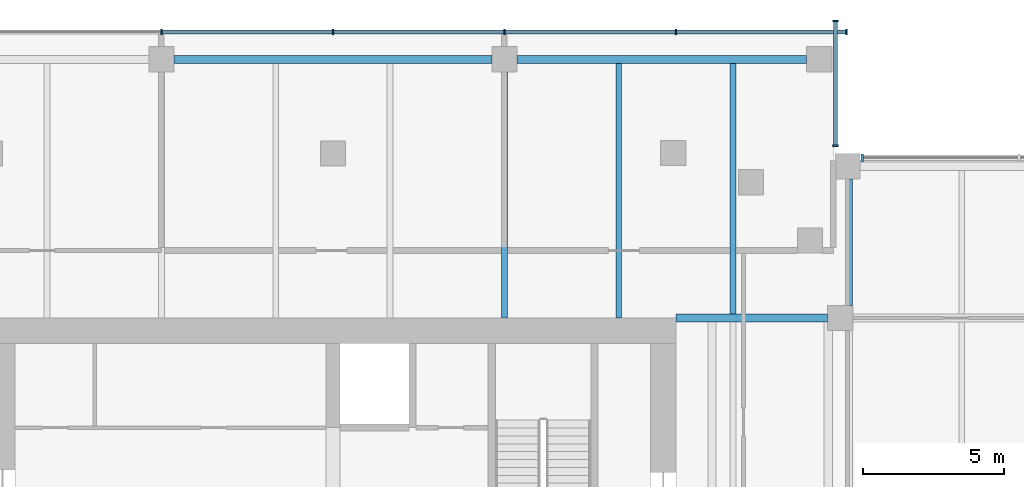
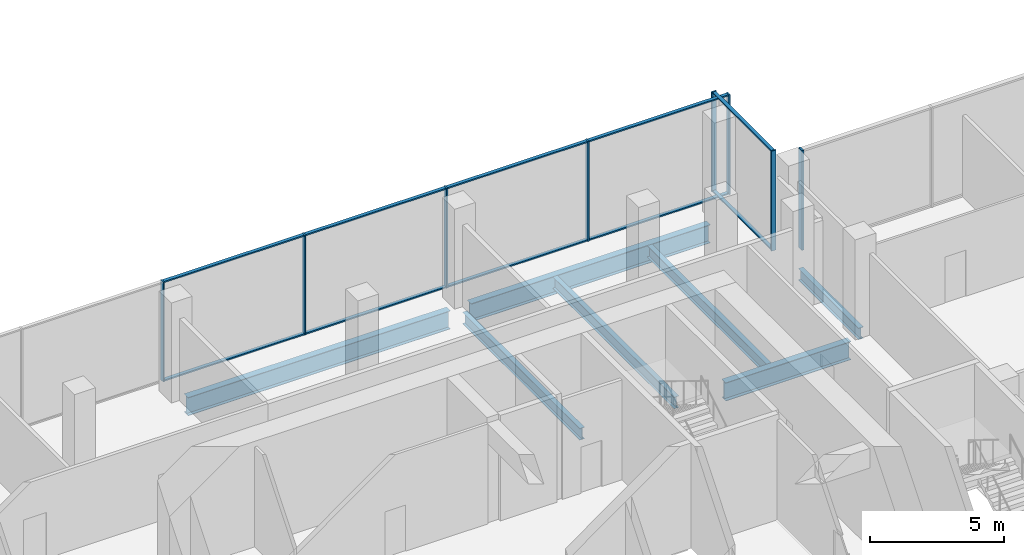
# One storey, part 6 of 33: 18 members, 7 beams, 3 elements without a shape of their own.
"""IFC4 building model written with IfcOpenShell, lengths in metres."""

from ifc_helpers import new_model, si_unit, direction, frame, origin, origin_2d, place, context, subcontext, project, spatial, rectangle, i_section, extrude, material, material_profile, profile_set, type_object, element, aggregate, save


model = new_model("IFC4")

# Units and contexts
model_context = context("Model", 3, precision=1e-05, world=origin(), true_north=direction((0.0, 1.0)))
body_context = subcontext(model_context, "Body", "Model", "MODEL_VIEW")
ifc_project = project(units=[si_unit("LENGTHUNIT", "METRE"), si_unit("AREAUNIT", "SQUARE_METRE"), si_unit("VOLUMEUNIT", "CUBIC_METRE"), si_unit("PLANEANGLEUNIT", "RADIAN"), si_unit("MASSUNIT", "GRAM", prefix="KILO")], contexts=[model_context])

# Site, building, storey
site_placement = place(None, origin())
site = spatial("IfcSite", under=ifc_project, at=site_placement, CompositionType="ELEMENT")
building_placement = place(site_placement, origin())
building = spatial("IfcBuilding", under=site, at=building_placement, Name="Tessera Gate Towers", CompositionType="ELEMENT")
storey_placement = place(building_placement, frame((0.0, 0.0, 7.199951171875)))
storey = spatial("IfcBuildingStorey", under=building, at=storey_placement, Name="L01", CompositionType="ELEMENT", Elevation=7.199951171875)

# Beams
ifc_material_1 = material(Name="Steel 350W", Category="steel")
ifc_material_profile_1 = material_profile(ifc_material_1, i_section(OverallWidth=0.2919921875, OverallDepth=0.8349609375, WebThickness=0.013916015625, FlangeThickness=0.018798828125, at=origin_2d()), Name="W840x176")
ifc_profile_set_1 = profile_set([ifc_material_profile_1], Name="Steel 350W")
beam_type_1 = type_object("IfcBeamType", Name="FLOOR GIRDER W840x176", PredefinedType="BEAM", material=ifc_profile_set_1)
beam_1_placement = place(storey_placement, frame((54.90087890625, 48.800048828125, -0.66748046875), z_axis=(1.0, 0.0, 0.0), x_axis=(0.0, 1.0, 0.0)))
element("IfcBeam", 1, at=beam_1_placement, inside=storey, type_object=beam_type_1, Name="PD-GD-L01-222", PredefinedType="BEAM", context=body_context, shape_type="SweptSolid", body=[
    extrude(i_section(OverallWidth=0.2919921875, OverallDepth=0.8349609375, WebThickness=0.013916015625, FlangeThickness=0.018798828125, at=origin_2d()), origin(), (0.0, 0.0, 1.0), 5.399169921875),
])
beam_2_placement = place(storey_placement, frame((37.050048828125, 58.0, -0.66748046875), z_axis=(1.0, 0.0, 0.0), x_axis=(0.0, 1.0, 0.0)))
element("IfcBeam", 2, at=beam_2_placement, inside=storey, type_object=beam_type_1, Name="PD-GD-L01-229", PredefinedType="BEAM", context=body_context, shape_type="SweptSolid", body=[
    extrude(i_section(OverallWidth=0.2919921875, OverallDepth=0.8349609375, WebThickness=0.013916015625, FlangeThickness=0.018798828125, at=origin_2d()), origin(), (0.0, 0.0, 1.0), 11.300048828125),
])
beam_3_placement = place(storey_placement, frame((49.25, 58.0, -0.66748046875), z_axis=(1.0, 0.0, 0.0), x_axis=(0.0, 1.0, 0.0)))
element("IfcBeam", 3, at=beam_3_placement, inside=storey, type_object=beam_type_1, Name="PD-GD-L01-230", PredefinedType="BEAM", context=body_context, shape_type="SweptSolid", body=[
    extrude(i_section(OverallWidth=0.2919921875, OverallDepth=0.8349609375, WebThickness=0.013916015625, FlangeThickness=0.018798828125, at=origin_2d()), origin(), (0.0, 0.0, 1.0), 10.300048828125),
])
ifc_material_2 = material(Name="Steel 350W", Category="steel")
ifc_material_profile_2 = material_profile(ifc_material_2, i_section(OverallWidth=0.208984375, OverallDepth=0.528076171875, WebThickness=0.009521484375, FlangeThickness=0.01318359375, at=origin_2d()), Name="W530x82")
ifc_profile_set_2 = profile_set([ifc_material_profile_2], Name="Steel 350W")
beam_type_2 = type_object("IfcBeamType", Name="FLOOR SECONDARY W530x82", PredefinedType="BEAM", material=ifc_profile_set_2)
beam_4_placement = place(storey_placement, frame((48.800048828125, 48.800048828125, -0.513916015625), z_axis=(0.0, 1.0, 0.0), x_axis=(-1.0, 0.0, 0.0)))
element("IfcBeam", 4, at=beam_4_placement, inside=storey, type_object=beam_type_2, Name="PD-BM-L01-286", PredefinedType="BEAM", context=body_context, shape_type="SweptSolid", body=[
    extrude(i_section(OverallWidth=0.208984375, OverallDepth=0.528076171875, WebThickness=0.009521484375, FlangeThickness=0.01318359375, at=origin_2d()), origin(), (0.0, 0.0, 1.0), 8.75),
])
beam_5_placement = place(storey_placement, frame((52.86669921875, 48.800048828125, -0.513916015625), z_axis=(0.0, 1.0, 0.0), x_axis=(-1.0, 0.0, 0.0)))
element("IfcBeam", 5, at=beam_5_placement, inside=storey, type_object=beam_type_2, Name="PD-BM-L01-289", PredefinedType="BEAM", context=body_context, shape_type="SweptSolid", body=[
    extrude(i_section(OverallWidth=0.208984375, OverallDepth=0.528076171875, WebThickness=0.009521484375, FlangeThickness=0.01318359375, at=origin_2d()), origin(), (0.0, 0.0, 1.0), 9.053955078125),
])
beam_6_placement = place(storey_placement, frame((56.933349609375, 48.946044921875, -0.513916015625), z_axis=(0.0, 1.0, 0.0), x_axis=(-1.0, 0.0, 0.0)))
element("IfcBeam", 6, at=beam_6_placement, inside=storey, type_object=beam_type_2, Name="PD-BM-L01-295", PredefinedType="BEAM", context=body_context, shape_type="SweptSolid", body=[
    extrude(i_section(OverallWidth=0.208984375, OverallDepth=0.528076171875, WebThickness=0.009521484375, FlangeThickness=0.01318359375, at=origin_2d()), origin(), (0.0, 0.0, 1.0), 8.907958984375),
])
beam_7_placement = place(storey_placement, frame((61.070556640625, 49.25, -0.513916015625), z_axis=(0.0, 1.0, 0.0), x_axis=(-1.0, 0.0, 0.0)))
element("IfcBeam", 7, at=beam_7_placement, inside=storey, type_object=beam_type_2, Name="PD-BM-L01-300", PredefinedType="BEAM", context=body_context, shape_type="SweptSolid", body=[
    extrude(i_section(OverallWidth=0.208984375, OverallDepth=0.528076171875, WebThickness=0.009521484375, FlangeThickness=0.01318359375, at=origin_2d()), origin(), (0.0, 0.0, 1.0), 4.5),
])

# Curtain wall, members
ifc_material_3 = material(Name="Aluminium frame", Category="aluminium")
curtain_wall_type_1 = type_object("IfcCurtainWallType", Name="CW-S1 podium storefront", PredefinedType="NOTDEFINED", material=ifc_material_3)
curtain_wall_1_placement = place(storey_placement, origin())
curtain_wall_1 = element("IfcCurtainWall", 8, at=curtain_wall_1_placement, inside=storey, type_object=curtain_wall_type_1, Name="Curtain wall podium storefront 0202", PredefinedType="NOTDEFINED")
ifc_material_4 = material(Name="Aluminium frame", Category="aluminium")
ifc_material_profile_3 = material_profile(ifc_material_4, rectangle(XDim=0.06005859375, YDim=0.199951171875, at=origin_2d()), Name="AL 60x200")
ifc_profile_set_3 = profile_set([ifc_material_profile_3], Name="Aluminium frame")
member_type_1 = type_object("IfcMemberType", Name="MU-S1 mullion 60x200", PredefinedType="MULLION", material=ifc_profile_set_3)
member_1_placement = place(storey_placement, frame((60.574951171875, 54.929931640625, 0.0), z_axis=(0.0, 0.0, 1.0), x_axis=(0.0, 1.0, 0.0)))
member_1 = element("IfcMember", 9, at=member_1_placement, type_object=member_type_1, Name="PD-CW1-0202 mullion 1", PredefinedType="MULLION", context=body_context, shape_type="SweptSolid", body=[
    extrude(rectangle(XDim=0.06005859375, YDim=0.199951171875, at=origin_2d()), origin(), (0.0, 0.0, 1.0), 4.550048828125),
])
member_2_placement = place(storey_placement, frame((60.574951171875, 59.3701171875, 0.0), z_axis=(0.0, 0.0, 1.0), x_axis=(0.0, 1.0, 0.0)))
member_2 = element("IfcMember", 10, at=member_2_placement, type_object=member_type_1, Name="PD-CW1-0202 mullion 2", PredefinedType="MULLION", context=body_context, shape_type="SweptSolid", body=[
    extrude(rectangle(XDim=0.06005859375, YDim=0.199951171875, at=origin_2d()), origin(), (0.0, 0.0, 1.0), 4.550048828125),
])

curtain_wall_2_placement = place(storey_placement, origin())
curtain_wall_2 = element("IfcCurtainWall", 11, at=curtain_wall_2_placement, inside=storey, type_object=curtain_wall_type_1, Name="Curtain wall podium storefront 0209", PredefinedType="NOTDEFINED")
member_3_placement = place(storey_placement, frame((60.969970703125, 58.97509765625, 0.0), z_axis=(0.0, 0.0, 1.0), x_axis=(-1.0, 0.0, 0.0)))
member_3 = element("IfcMember", 12, at=member_3_placement, type_object=member_type_1, Name="PD-CW1-0209 mullion 1", PredefinedType="MULLION", context=body_context, shape_type="SweptSolid", body=[
    extrude(rectangle(XDim=0.06005859375, YDim=0.199951171875, at=origin_2d()), origin(), (0.0, 0.0, 1.0), 4.550048828125),
])
member_4_placement = place(storey_placement, frame((54.89990234375, 58.97509765625, 0.0), z_axis=(0.0, 0.0, 1.0), x_axis=(-1.0, 0.0, 0.0)))
member_4 = element("IfcMember", 13, at=member_4_placement, type_object=member_type_1, Name="PD-CW1-0209 mullion 2", PredefinedType="MULLION", context=body_context, shape_type="SweptSolid", body=[
    extrude(rectangle(XDim=0.06005859375, YDim=0.199951171875, at=origin_2d()), origin(), (0.0, 0.0, 1.0), 4.550048828125),
])
member_5_placement = place(storey_placement, frame((48.800048828125, 58.97509765625, 0.0), z_axis=(0.0, 0.0, 1.0), x_axis=(-1.0, 0.0, 0.0)))
member_5 = element("IfcMember", 14, at=member_5_placement, type_object=member_type_1, Name="PD-CW1-0209 mullion 3", PredefinedType="MULLION", context=body_context, shape_type="SweptSolid", body=[
    extrude(rectangle(XDim=0.06005859375, YDim=0.199951171875, at=origin_2d()), origin(), (0.0, 0.0, 1.0), 4.550048828125),
])
member_6_placement = place(storey_placement, frame((42.699951171875, 58.97509765625, 0.0), z_axis=(0.0, 0.0, 1.0), x_axis=(-1.0, 0.0, 0.0)))
member_6 = element("IfcMember", 15, at=member_6_placement, type_object=member_type_1, Name="PD-CW1-0209 mullion 4", PredefinedType="MULLION", context=body_context, shape_type="SweptSolid", body=[
    extrude(rectangle(XDim=0.06005859375, YDim=0.199951171875, at=origin_2d()), origin(), (0.0, 0.0, 1.0), 4.550048828125),
])
member_7_placement = place(storey_placement, frame((36.60009765625, 58.97509765625, 0.0), z_axis=(0.0, 0.0, 1.0), x_axis=(-1.0, 0.0, 0.0)))
member_7 = element("IfcMember", 16, at=member_7_placement, type_object=member_type_1, Name="PD-CW1-0209 mullion 5", PredefinedType="MULLION", context=body_context, shape_type="SweptSolid", body=[
    extrude(rectangle(XDim=0.06005859375, YDim=0.199951171875, at=origin_2d()), origin(), (0.0, 0.0, 1.0), 4.550048828125),
])

# Curtain wall, member
ifc_material_5 = material(Name="Aluminium frame", Category="aluminium")
curtain_wall_type_2 = type_object("IfcCurtainWallType", Name="CW-S2 galleria glazing", PredefinedType="NOTDEFINED", material=ifc_material_5)
curtain_wall_3_placement = place(storey_placement, origin())
curtain_wall_3 = element("IfcCurtainWall", 17, at=curtain_wall_3_placement, inside=storey, type_object=curtain_wall_type_2, Name="Curtain wall galleria glazing 0198", PredefinedType="NOTDEFINED")
ifc_material_6 = material(Name="Aluminium frame", Category="aluminium")
ifc_material_profile_4 = material_profile(ifc_material_6, rectangle(XDim=0.080078125, YDim=0.25, at=origin_2d()), Name="AL 80x250")
ifc_profile_set_4 = profile_set([ifc_material_profile_4], Name="Aluminium frame")
member_type_2 = type_object("IfcMemberType", Name="MU-S2 mullion 80x250", PredefinedType="MULLION", material=ifc_profile_set_4)
member_8_placement = place(storey_placement, frame((61.530029296875, 54.5, 0.0), z_axis=(0.0, 0.0, 1.0), x_axis=(-1.0, 0.0, 0.0)))
member_8 = element("IfcMember", 18, at=member_8_placement, type_object=member_type_2, Name="PD-CW2-0198 mullion 3", PredefinedType="MULLION", context=body_context, shape_type="SweptSolid", body=[
    extrude(rectangle(XDim=0.080078125, YDim=0.25, at=origin_2d()), origin(), (0.0, 0.0, 1.0), 4.550048828125),
])
aggregate(curtain_wall_3, [member_8])

# Member
ifc_material_7 = material(Name="Aluminium frame", Category="aluminium")
ifc_material_profile_5 = material_profile(ifc_material_7, rectangle(XDim=0.14990234375, YDim=0.06005859375, at=origin_2d()), Name="AL 60x150")
ifc_profile_set_5 = profile_set([ifc_material_profile_5], Name="Aluminium frame")
member_type_3 = type_object("IfcMemberType", Name="TR-S1 transom 60x150", PredefinedType="USERDEFINED", material=ifc_profile_set_5)
member_9_placement = place(storey_placement, frame((60.574951171875, 54.9599609375, 0.030029296875), z_axis=(0.0, 1.0, 0.0), x_axis=(-1.0, 0.0, 0.0)))
member_9 = element("IfcMember", 19, at=member_9_placement, type_object=member_type_3, Name="PD-CW1-0202 transom 1.1", ObjectType="TRANSOM", PredefinedType="USERDEFINED", context=body_context, shape_type="SweptSolid", body=[
    extrude(rectangle(XDim=0.14990234375, YDim=0.06005859375, at=origin_2d()), origin(), (0.0, 0.0, 1.0), 4.380126953125),
])

member_10_placement = place(storey_placement, frame((60.574951171875, 54.9599609375, 4.52001953125), z_axis=(0.0, 1.0, 0.0), x_axis=(-1.0, 0.0, 0.0)))
member_10 = element("IfcMember", 20, at=member_10_placement, type_object=member_type_3, Name="PD-CW1-0202 transom 1.2", ObjectType="TRANSOM", PredefinedType="USERDEFINED", context=body_context, shape_type="SweptSolid", body=[
    extrude(rectangle(XDim=0.14990234375, YDim=0.06005859375, at=origin_2d()), origin(), (0.0, 0.0, 1.0), 4.380126953125),
])

aggregate(curtain_wall_1, [member_1, member_2, member_9, member_10])

member_11_placement = place(storey_placement, frame((60.93994140625, 58.97509765625, 0.030029296875), z_axis=(-1.0, 0.0, 0.0), x_axis=(0.0, -1.0, 0.0)))
member_11 = element("IfcMember", 21, at=member_11_placement, type_object=member_type_3, Name="PD-CW1-0209 transom 1.1", ObjectType="TRANSOM", PredefinedType="USERDEFINED", context=body_context, shape_type="SweptSolid", body=[
    extrude(rectangle(XDim=0.14990234375, YDim=0.06005859375, at=origin_2d()), origin(), (0.0, 0.0, 1.0), 6.010009765625),
])

member_12_placement = place(storey_placement, frame((60.93994140625, 58.97509765625, 4.52001953125), z_axis=(-1.0, 0.0, 0.0), x_axis=(0.0, -1.0, 0.0)))
member_12 = element("IfcMember", 22, at=member_12_placement, type_object=member_type_3, Name="PD-CW1-0209 transom 1.2", ObjectType="TRANSOM", PredefinedType="USERDEFINED", context=body_context, shape_type="SweptSolid", body=[
    extrude(rectangle(XDim=0.14990234375, YDim=0.06005859375, at=origin_2d()), origin(), (0.0, 0.0, 1.0), 6.010009765625),
])

member_13_placement = place(storey_placement, frame((54.8701171875, 58.97509765625, 0.030029296875), z_axis=(-1.0, 0.0, 0.0), x_axis=(0.0, -1.0, 0.0)))
member_13 = element("IfcMember", 23, at=member_13_placement, type_object=member_type_3, Name="PD-CW1-0209 transom 2.1", ObjectType="TRANSOM", PredefinedType="USERDEFINED", context=body_context, shape_type="SweptSolid", body=[
    extrude(rectangle(XDim=0.14990234375, YDim=0.06005859375, at=origin_2d()), origin(), (0.0, 0.0, 1.0), 6.0400390625),
])

member_14_placement = place(storey_placement, frame((54.8701171875, 58.97509765625, 4.52001953125), z_axis=(-1.0, 0.0, 0.0), x_axis=(0.0, -1.0, 0.0)))
member_14 = element("IfcMember", 24, at=member_14_placement, type_object=member_type_3, Name="PD-CW1-0209 transom 2.2", ObjectType="TRANSOM", PredefinedType="USERDEFINED", context=body_context, shape_type="SweptSolid", body=[
    extrude(rectangle(XDim=0.14990234375, YDim=0.06005859375, at=origin_2d()), origin(), (0.0, 0.0, 1.0), 6.0400390625),
])

member_15_placement = place(storey_placement, frame((48.77001953125, 58.97509765625, 0.030029296875), z_axis=(-1.0, 0.0, 0.0), x_axis=(0.0, -1.0, 0.0)))
member_15 = element("IfcMember", 25, at=member_15_placement, type_object=member_type_3, Name="PD-CW1-0209 transom 3.1", ObjectType="TRANSOM", PredefinedType="USERDEFINED", context=body_context, shape_type="SweptSolid", body=[
    extrude(rectangle(XDim=0.14990234375, YDim=0.06005859375, at=origin_2d()), origin(), (0.0, 0.0, 1.0), 6.0400390625),
])

member_16_placement = place(storey_placement, frame((48.77001953125, 58.97509765625, 4.52001953125), z_axis=(-1.0, 0.0, 0.0), x_axis=(0.0, -1.0, 0.0)))
member_16 = element("IfcMember", 26, at=member_16_placement, type_object=member_type_3, Name="PD-CW1-0209 transom 3.2", ObjectType="TRANSOM", PredefinedType="USERDEFINED", context=body_context, shape_type="SweptSolid", body=[
    extrude(rectangle(XDim=0.14990234375, YDim=0.06005859375, at=origin_2d()), origin(), (0.0, 0.0, 1.0), 6.0400390625),
])

member_17_placement = place(storey_placement, frame((42.669921875, 58.97509765625, 0.030029296875), z_axis=(-1.0, 0.0, 0.0), x_axis=(0.0, -1.0, 0.0)))
member_17 = element("IfcMember", 27, at=member_17_placement, type_object=member_type_3, Name="PD-CW1-0209 transom 4.1", ObjectType="TRANSOM", PredefinedType="USERDEFINED", context=body_context, shape_type="SweptSolid", body=[
    extrude(rectangle(XDim=0.14990234375, YDim=0.06005859375, at=origin_2d()), origin(), (0.0, 0.0, 1.0), 6.0400390625),
])

member_18_placement = place(storey_placement, frame((42.669921875, 58.97509765625, 4.52001953125), z_axis=(-1.0, 0.0, 0.0), x_axis=(0.0, -1.0, 0.0)))
member_18 = element("IfcMember", 28, at=member_18_placement, type_object=member_type_3, Name="PD-CW1-0209 transom 4.2", ObjectType="TRANSOM", PredefinedType="USERDEFINED", context=body_context, shape_type="SweptSolid", body=[
    extrude(rectangle(XDim=0.14990234375, YDim=0.06005859375, at=origin_2d()), origin(), (0.0, 0.0, 1.0), 6.0400390625),
])

aggregate(curtain_wall_2, [member_3, member_4, member_5, member_6, member_7, member_11, member_12, member_13, member_14, member_15, member_16, member_17, member_18])

save(model, "model.ifc")
